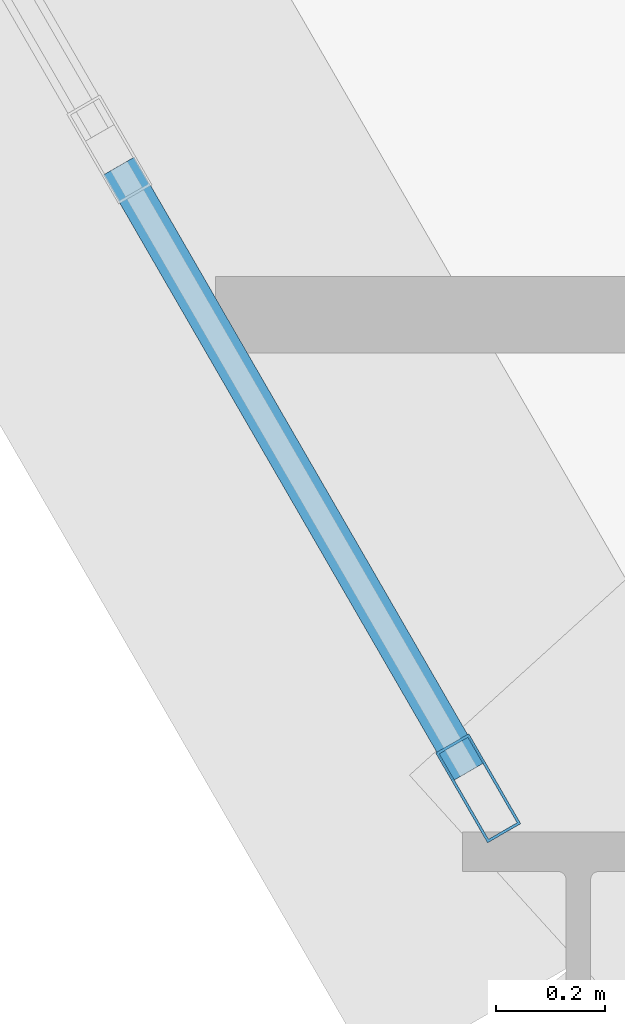
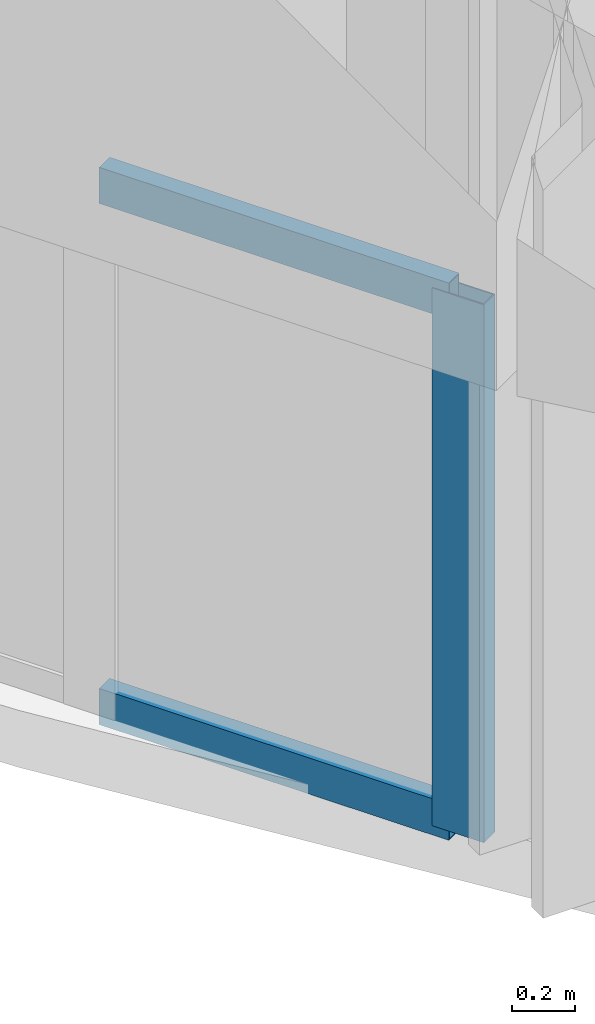
# One storey, part 2 of 20: 3 members, 1 element without a shape of its own.
"""IFC4 building model written with IfcOpenShell, lengths in metres."""

from ifc_helpers import new_model, si_unit, derived_unit, direction, frame, origin, origin_2d, place, context, subcontext, project, spatial, hollow_rectangle, extrude, source, transform, mapped, material, layer, layer_set, material_profile, profile_set, type_object, element, aggregate, save


model = new_model("IFC4")

# Units and contexts
model_context = context("Model", 3, precision=1e-05, world=origin(), true_north=direction((0.0, 1.0)))
body_context = subcontext(model_context, "Body", "Model", "MODEL_VIEW")
ifc_project = project(units=[si_unit("LENGTHUNIT", "METRE"), si_unit("AREAUNIT", "SQUARE_METRE"), si_unit("VOLUMEUNIT", "CUBIC_METRE"), si_unit("PLANEANGLEUNIT", "RADIAN"), si_unit("MASSUNIT", "GRAM", prefix="KILO"), derived_unit("THERMALTRANSMITTANCEUNIT", [(si_unit("POWERUNIT", "WATT"), 1), (si_unit("LENGTHUNIT", "METRE"), -2), (si_unit("THERMODYNAMICTEMPERATUREUNIT", "KELVIN"), -1)])], contexts=[model_context])

# Site, building, storey
site_placement = place(None, origin())
site = spatial("IfcSite", under=ifc_project, at=site_placement, CompositionType="ELEMENT")
building_placement = place(site_placement, origin())
building = spatial("IfcBuilding", under=site, at=building_placement, Name="Korsvarv Bourse and Concert Hall", CompositionType="ELEMENT")
storey_placement = place(building_placement, frame((0.0, 0.0, 39.60009765625)))
storey = spatial("IfcBuildingStorey", under=building, at=storey_placement, Name="L09", CompositionType="ELEMENT", Elevation=39.60009765625)

# Curtain wall, members
ifc_material_1 = material(Name="Anodised aluminium and triple low-E glazing", Category="glass")
ifc_layer = layer(ifc_material_1, 0.219970703125)
ifc_layer_set = layer_set([ifc_layer], Name="Anodised aluminium and triple low-E glazing")
curtain_wall_type = type_object("IfcCurtainWallType", Name="CW-SYS-1", PredefinedType="NOTDEFINED", material=ifc_layer_set)
curtain_wall_placement = place(storey_placement, origin())
curtain_wall = element("IfcCurtainWall", 1, at=curtain_wall_placement, inside=storey, type_object=curtain_wall_type, Name="L09 CW1 curtain wall CW-L09-F07", PredefinedType="NOTDEFINED")
ifc_material_2 = material(Name="Extruded aluminium EN AW-6063 T66", Category="aluminium")
ifc_material_profile_1 = material_profile(ifc_material_2, hollow_rectangle(XDim=0.070068359375, YDim=0.18994140625, WallThickness=0.0048828125, at=origin_2d()), Name="ALU-M 70x190")
ifc_profile_set_1 = profile_set([ifc_material_profile_1], Name="Extruded aluminium EN AW-6063 T66")
member_type_1 = type_object("IfcMemberType", Name="CWM-190", PredefinedType="MULLION", material=ifc_profile_set_1)
shared_shape_1 = source(origin(), body_context, "Body", "SweptSolid", [
    extrude(hollow_rectangle(XDim=0.070068359375, YDim=0.18994140625, WallThickness=0.0048828125, at=origin_2d()), origin(), (0.0, 0.0, 1.0), 2.079833984375),
])
member_1_placement = place(storey_placement, frame((21.253173828125, 18.7392578125, 0.0), z_axis=(0.0, 0.0, 1.0), x_axis=(0.866025616828, 0.499999630998, 0.0)))
member_1 = element("IfcMember", 2, at=member_1_placement, type_object=member_type_1, Name="CW1 mullion 12", PredefinedType="MULLION", context=body_context, shape_type="MappedRepresentation", body=[
    mapped(shared_shape_1, transform((0.0, 0.0, 0.0), scale=1.0)),
])
ifc_material_profile_2 = material_profile(ifc_material_2, hollow_rectangle(XDim=0.06494140625, YDim=0.139892578125, WallThickness=0.00390625, at=origin_2d()), Name="ALU-T 65x140")
ifc_profile_set_2 = profile_set([ifc_material_profile_2], Name="Extruded aluminium EN AW-6063 T66")
member_type_2 = type_object("IfcMemberType", Name="CWT-140", PredefinedType="USERDEFINED", material=ifc_profile_set_2)
shared_shape_2 = source(origin(), body_context, "Body", "SweptSolid", [
    extrude(hollow_rectangle(XDim=0.06494140625, YDim=0.139892578125, WallThickness=0.00390625, at=origin_2d()), origin(), (0.0, 0.0, 1.0), 1.27880859375),
])
member_2_placement = place(storey_placement, frame((20.59619140625, 19.876953125, 0.032470703125), z_axis=(0.50001992892, -0.866013897511, 0.0), x_axis=(0.866013897511, 0.50001992892, 0.0)))
member_2 = element("IfcMember", 3, at=member_2_placement, type_object=member_type_2, Name="CW1 transom 11.1", ObjectType="TRANSOM", PredefinedType="USERDEFINED", context=body_context, shape_type="MappedRepresentation", body=[
    mapped(shared_shape_2, transform((0.0, 0.0, 0.0), scale=1.0)),
])
member_3_placement = place(storey_placement, frame((20.59619140625, 19.876953125, 2.04736328125), z_axis=(0.50001992892, -0.866013897511, 0.0), x_axis=(0.866013897511, 0.50001992892, 0.0)))
member_3 = element("IfcMember", 4, at=member_3_placement, type_object=member_type_2, Name="CW1 transom 11.2", ObjectType="TRANSOM", PredefinedType="USERDEFINED", context=body_context, shape_type="MappedRepresentation", body=[
    mapped(shared_shape_2, transform((0.0, 0.0, 0.0), scale=1.0)),
])
aggregate(curtain_wall, [member_1, member_2, member_3])

save(model, "model.ifc")
